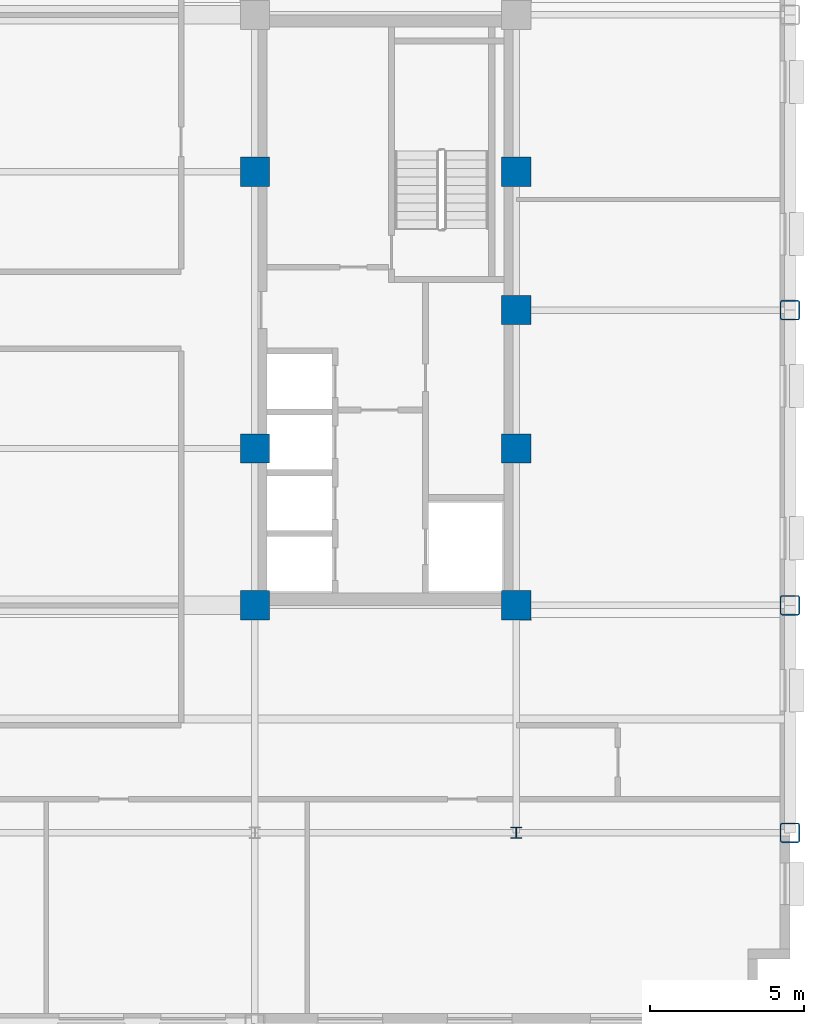
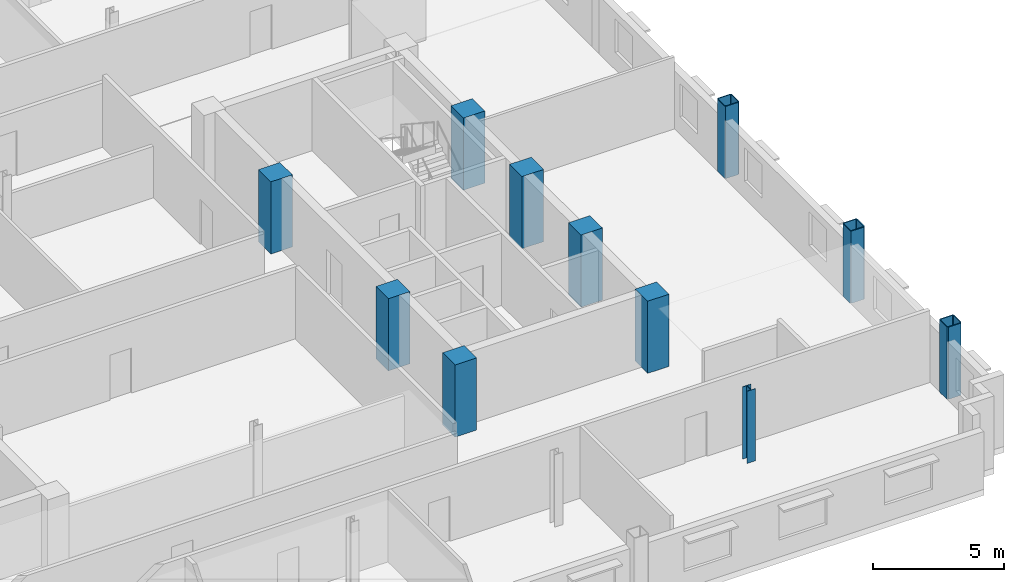
# One storey, part 2 of 14: 11 columns.
"""IFC4 building model written with IfcOpenShell, lengths in metres."""

from ifc_helpers import new_model, si_unit, direction, frame, origin, origin_2d, place, context, subcontext, project, spatial, rectangle, hollow_rectangle, i_section, extrude, material, material_profile, profile_set, type_object, element, save


model = new_model("IFC4")

# Units and contexts
model_context = context("Model", 3, precision=1e-05, world=origin(), true_north=direction((0.0, 1.0)))
body_context = subcontext(model_context, "Body", "Model", "MODEL_VIEW")
ifc_project = project(units=[si_unit("LENGTHUNIT", "METRE"), si_unit("AREAUNIT", "SQUARE_METRE"), si_unit("VOLUMEUNIT", "CUBIC_METRE"), si_unit("PLANEANGLEUNIT", "RADIAN"), si_unit("MASSUNIT", "GRAM", prefix="KILO")], contexts=[model_context])

# Site, building, storey
site_placement = place(None, origin())
site = spatial("IfcSite", under=ifc_project, at=site_placement, CompositionType="ELEMENT")
building_placement = place(site_placement, origin())
building = spatial("IfcBuilding", under=site, at=building_placement, Name="Nuvemarco Arch Tower", CompositionType="ELEMENT")
storey_placement = place(building_placement, frame((0.0, 0.0, 160.35009765625)))
storey = spatial("IfcBuildingStorey", under=building, at=storey_placement, Name="L42", CompositionType="ELEMENT", Elevation=160.35009765625)

# Columns
ifc_material_1 = material(Name="Concrete C50/60", Category="concrete")
ifc_material_profile_1 = material_profile(ifc_material_1, rectangle(XDim=0.949951171875, YDim=0.949951171875, at=origin_2d()), Name="RC-COL-950x950")
ifc_profile_set_1 = profile_set([ifc_material_profile_1], Name="Concrete C50/60")
column_type_1 = type_object("IfcColumnType", Name="COL-CORE-950", PredefinedType="COLUMN", material=ifc_profile_set_1)
for number, where, z_axis, x_axis, name in (
    (1, (9.0, -9.60009765625, 0.0), (0.0, 0.0, 1.0), (1.0, 0.0, 0.0), "L42 column CC_+9.0_-9.6"),
    (2, (9.0, -4.5, 0.0), (0.0, 0.0, 1.0), (1.0, 0.0, 0.0), "L42 column CC_+9.0_-4.5"),
    (3, (9.0, 4.5, 0.0), (0.0, 0.0, 1.0), (1.0, 0.0, 0.0), "L42 column CC_+9.0_+4.5"),
    (4, (17.5, -9.60009765625, 0.0), (0.0, 0.0, 1.0), (1.0, 0.0, 0.0), "L42 column CC_+17.5_-9.6"),
    (5, (17.5, -4.5, 0.0), (0.0, 0.0, 1.0), (1.0, 0.0, 0.0), "L42 column CC_+17.5_-4.5"),
    (6, (17.5, 4.5, 0.0), (0.0, 0.0, 1.0), (1.0, 0.0, 0.0), "L42 column CC_+17.5_+4.5"),
    (7, (17.5, 0.0, 0.0), (0.0, 0.0, 1.0), (1.0, 0.0, 0.0), "L42 column CC_+17.5_+0.0"),
):
    element("IfcColumn", number, at=place(storey_placement, frame(where, z_axis=z_axis, x_axis=x_axis)), inside=storey, type_object=column_type_1, Name=name, PredefinedType="COLUMN", context=body_context, shape_type="SweptSolid", body=[
        extrude(rectangle(XDim=0.949951171875, YDim=0.949951171875, at=origin_2d()), origin(), (0.0, 0.0, 1.0), 3.369873046875),
    ])
ifc_material_2 = material(Name="Steel S355", Category="steel")
ifc_material_profile_2 = material_profile(ifc_material_2, hollow_rectangle(XDim=0.64990234375, YDim=0.64990234375, WallThickness=0.0400390625, InnerFilletRadius=0.0400390625, OuterFilletRadius=0.080078125, at=origin_2d()), Name="SHS650x650x40")
ifc_profile_set_2 = profile_set([ifc_material_profile_2], Name="Steel S355")
column_type_2 = type_object("IfcColumnType", Name="COL-EXO-650", PredefinedType="COLUMN", material=ifc_profile_set_2)
for number, where, z_axis, x_axis, name in (
    (8, (26.39990234375, -17.0, 0.0), (0.0, 0.0, 1.0), (1.0, 0.0, 0.0), "L42 column CX_+26.4_-17.0"),
    (9, (26.39990234375, -9.60009765625, 0.0), (0.0, 0.0, 1.0), (1.0, 0.0, 0.0), "L42 column CX_+26.4_-9.6"),
    (10, (26.39990234375, 0.0, 0.0), (0.0, 0.0, 1.0), (1.0, 0.0, 0.0), "L42 column CX_+26.4_+0.0"),
):
    element("IfcColumn", number, at=place(storey_placement, frame(where, z_axis=z_axis, x_axis=x_axis)), inside=storey, type_object=column_type_2, Name=name, PredefinedType="COLUMN", context=body_context, shape_type="SweptSolid", body=[
        extrude(hollow_rectangle(XDim=0.64990234375, YDim=0.64990234375, WallThickness=0.0400390625, InnerFilletRadius=0.0400390625, OuterFilletRadius=0.080078125, at=origin_2d()), origin(), (0.0, 0.0, 1.0), 3.369873046875),
    ])
ifc_material_profile_3 = material_profile(ifc_material_2, i_section(OverallWidth=0.360107421875, OverallDepth=0.360107421875, WebThickness=0.0205078125, FlangeThickness=0.0205078125, FilletRadius=0.01806640625, at=origin_2d()), Name="HP360x174")
ifc_profile_set_3 = profile_set([ifc_material_profile_3], Name="Steel S355")
column_type_3 = type_object("IfcColumnType", Name="COL-STL-HP360", PredefinedType="COLUMN", material=ifc_profile_set_3)
column_placement = place(storey_placement, frame((17.5, -17.0, 0.0), z_axis=(0.0, 0.0, 1.0), x_axis=(1.0, 0.0, 0.0)))
element("IfcColumn", 11, at=column_placement, inside=storey, type_object=column_type_3, Name="L42 column CI_+17.5_-17.0", PredefinedType="COLUMN", context=body_context, shape_type="SweptSolid", body=[
    extrude(i_section(OverallWidth=0.360107421875, OverallDepth=0.360107421875, WebThickness=0.0205078125, FlangeThickness=0.0205078125, FilletRadius=0.01806640625, at=origin_2d()), origin(), (0.0, 0.0, 1.0), 3.369873046875),
])

save(model, "model.ifc")
